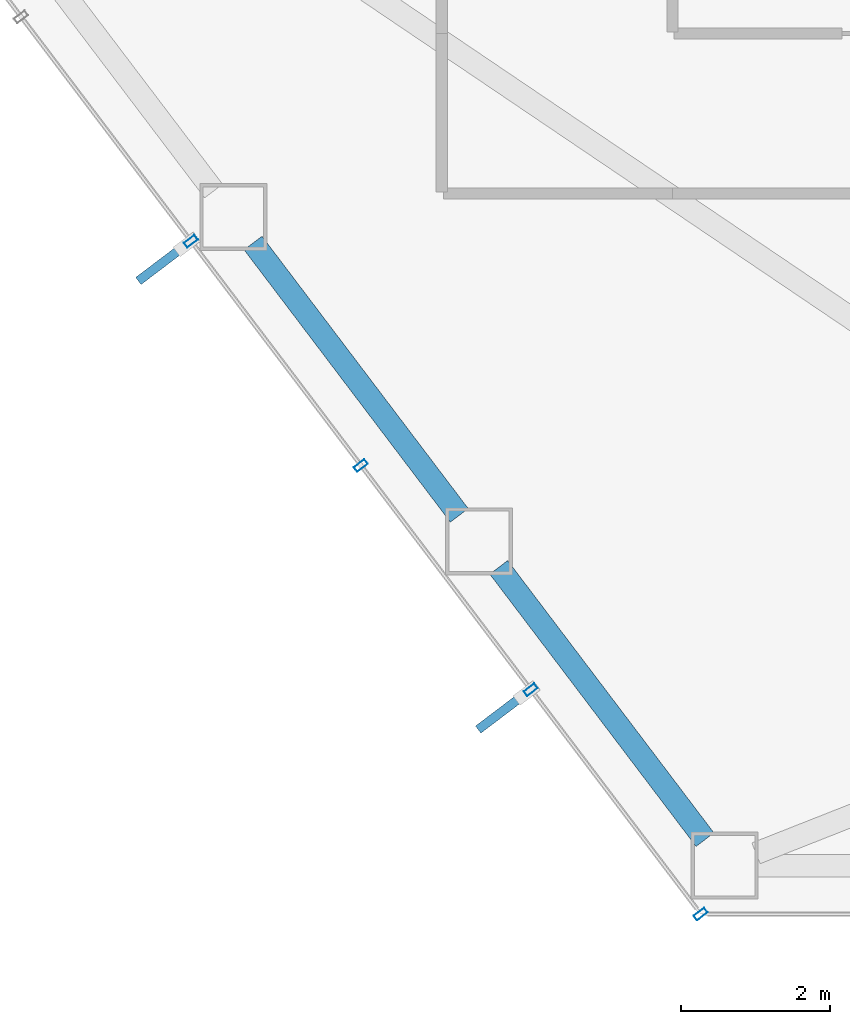
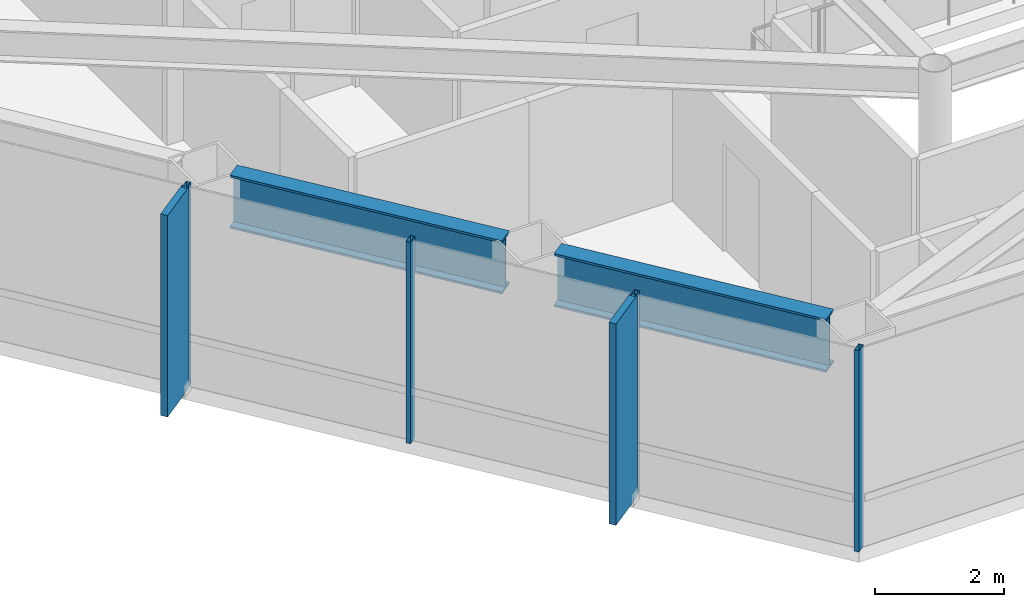
# One storey, part 2 of 24: 6 members, 2 beams, 1 element without a shape of its own.
"""IFC4 building model written with IfcOpenShell, lengths in metres."""

from ifc_helpers import new_model, si_unit, direction, frame, origin, origin_2d, place, context, subcontext, project, spatial, rectangle, hollow_rectangle, i_section, extrude, material, layer, layer_set, material_profile, profile_set, type_object, element, aggregate, save


model = new_model("IFC4")

# Units and contexts
model_context = context("Model", 3, precision=1e-05, world=origin(), true_north=direction((0.0, 1.0)))
body_context = subcontext(model_context, "Body", "Model", "MODEL_VIEW")
ifc_project = project(units=[si_unit("LENGTHUNIT", "METRE"), si_unit("AREAUNIT", "SQUARE_METRE"), si_unit("VOLUMEUNIT", "CUBIC_METRE"), si_unit("PLANEANGLEUNIT", "RADIAN"), si_unit("MASSUNIT", "GRAM", prefix="KILO")], contexts=[model_context])

# Site, building, storey
site_placement = place(None, origin())
site = spatial("IfcSite", under=ifc_project, at=site_placement, CompositionType="ELEMENT")
building_placement = place(site_placement, origin())
building = spatial("IfcBuilding", under=site, at=building_placement, Name="Zarrinselat Tower", CompositionType="ELEMENT")
storey_placement = place(building_placement, frame((0.0, 0.0, 100.97998046875)))
storey = spatial("IfcBuildingStorey", under=building, at=storey_placement, Name="L24", CompositionType="ELEMENT", Elevation=100.97998046875)

# Beams
ifc_material_1 = material(Name="Steel S460M", Category="steel")
ifc_material_profile_1 = material_profile(ifc_material_1, i_section(OverallWidth=0.302001953125, OverallDepth=1.008056640625, WebThickness=0.02099609375, FlangeThickness=0.0400390625, at=origin_2d()), Name="HEM 1000")
ifc_profile_set_1 = profile_set([ifc_material_profile_1], Name="Steel S460M")
beam_type = type_object("IfcBeamType", Name="BM-HEM1000", PredefinedType="BEAM", material=ifc_profile_set_1)
for number, where, z_axis, x_axis, name in (
    (1, (22.9150390625, 27.336669921875, 3.31591796875), (0.603833098178, -0.797110776206, 0.0), (0.797110776206, 0.603833098178, 0.0), "L24 Perimeter Spandrel Girder SP08"),
    (2, (26.21435546875, 22.981689453125, 3.31591796875), (0.603833098178, -0.797110776206, 0.0), (0.797110776206, 0.603833098178, 0.0), "L24 Perimeter Spandrel Girder SP09"),
):
    element("IfcBeam", number, at=place(storey_placement, frame(where, z_axis=z_axis, x_axis=x_axis)), inside=storey, type_object=beam_type, Name=name, PredefinedType="BEAM", context=body_context, shape_type="SweptSolid", body=[
        extrude(i_section(OverallWidth=0.302001953125, OverallDepth=1.008056640625, WebThickness=0.02099609375, FlangeThickness=0.0400390625, at=origin_2d()), origin(), (0.0, 0.0, 1.0), 4.587890625),
    ])

# Curtain wall, members
ifc_material_2 = material(Name="Extruded Aluminium Alloy EN AW-6063 T6", Category="aluminium")
ifc_layer = layer(ifc_material_2, 0.18505859375)
ifc_layer_set = layer_set([ifc_layer], Name="Extruded Aluminium Alloy EN AW-6063 T6")
curtain_wall_type = type_object("IfcCurtainWallType", Name="CWS-OFF", PredefinedType="NOTDEFINED", material=ifc_layer_set)
curtain_wall_placement = place(storey_placement, origin())
curtain_wall = element("IfcCurtainWall", 3, at=curtain_wall_placement, inside=storey, type_object=curtain_wall_type, Name="L24 Unitised Curtain Wall CW-L24-E03", PredefinedType="NOTDEFINED")
ifc_material_3 = material(Name="Extruded Aluminium Alloy EN AW-6063 T6", Category="aluminium")
ifc_material_profile_2 = material_profile(ifc_material_3, hollow_rectangle(XDim=0.080078125, YDim=0.179931640625, WallThickness=0.0048828125, at=origin_2d()), Name="RHS 180x80x5")
ifc_profile_set_2 = profile_set([ifc_material_profile_2], Name="Extruded Aluminium Alloy EN AW-6063 T6")
member_type_1 = type_object("IfcMemberType", Name="MEM-CW-MUL", PredefinedType="MULLION", material=ifc_profile_set_2)
member_1_placement = place(storey_placement, frame((22.081298828125, 27.36083984375, 0.0), z_axis=(0.0, 0.0, 1.0), x_axis=(0.603857772927, -0.797092083812, 0.0)))
member_1 = element("IfcMember", 4, at=member_1_placement, type_object=member_type_1, Name="CW-L24-E03 Mullion 3", PredefinedType="MULLION", context=body_context, shape_type="SweptSolid", body=[
    extrude(hollow_rectangle(XDim=0.080078125, YDim=0.179931640625, WallThickness=0.0048828125, at=origin_2d()), origin(), (0.0, 0.0, 1.0), 3.820068359375),
])
member_2_placement = place(storey_placement, frame((24.36279296875, 24.34912109375, 0.0), z_axis=(0.0, 0.0, 1.0), x_axis=(0.603857772927, -0.797092083812, 0.0)))
member_2 = element("IfcMember", 5, at=member_2_placement, type_object=member_type_1, Name="CW-L24-E03 Mullion 4", PredefinedType="MULLION", context=body_context, shape_type="SweptSolid", body=[
    extrude(hollow_rectangle(XDim=0.080078125, YDim=0.179931640625, WallThickness=0.0048828125, at=origin_2d()), origin(), (0.0, 0.0, 1.0), 3.820068359375),
])
member_3_placement = place(storey_placement, frame((26.64453125, 21.33740234375, 0.0), z_axis=(0.0, 0.0, 1.0), x_axis=(0.603857772927, -0.797092083812, 0.0)))
member_3 = element("IfcMember", 6, at=member_3_placement, type_object=member_type_1, Name="CW-L24-E03 Mullion 5", PredefinedType="MULLION", context=body_context, shape_type="SweptSolid", body=[
    extrude(hollow_rectangle(XDim=0.080078125, YDim=0.179931640625, WallThickness=0.0048828125, at=origin_2d()), origin(), (0.0, 0.0, 1.0), 3.820068359375),
])
member_4_placement = place(storey_placement, frame((28.926025390625, 18.32568359375, 0.0), z_axis=(0.0, 0.0, 1.0), x_axis=(0.603857772927, -0.797092083812, 0.0)))
member_4 = element("IfcMember", 7, at=member_4_placement, type_object=member_type_1, Name="CW-L24-E03 Mullion 6", PredefinedType="MULLION", context=body_context, shape_type="SweptSolid", body=[
    extrude(hollow_rectangle(XDim=0.080078125, YDim=0.179931640625, WallThickness=0.0048828125, at=origin_2d()), origin(), (0.0, 0.0, 1.0), 3.820068359375),
])
ifc_material_4 = material(Name="Honed Cream Travertine Stone", Category="masonry")
ifc_material_profile_3 = material_profile(ifc_material_4, rectangle(XDim=0.1201171875, YDim=0.85009765625, at=origin_2d()), Name="FIN 850x120")
ifc_profile_set_3 = profile_set([ifc_material_profile_3], Name="Honed Cream Travertine Stone")
member_type_2 = type_object("IfcMemberType", Name="MEM-STONE-FIN", PredefinedType="USERDEFINED", material=ifc_profile_set_3)
member_5_placement = place(storey_placement, frame((21.714599609375, 27.0830078125, 0.0), z_axis=(0.0, 0.0, 1.0), x_axis=(-0.603857772927, 0.797092083812, 0.0)))
member_5 = element("IfcMember", 8, at=member_5_placement, type_object=member_type_2, Name="L24 Stone Shading Fin CW-L24-E03-03", ObjectType="FIN", PredefinedType="USERDEFINED", context=body_context, shape_type="SweptSolid", body=[
    extrude(rectangle(XDim=0.1201171875, YDim=0.85009765625, at=origin_2d()), origin(), (0.0, 0.0, 1.0), 3.820068359375),
])
member_6_placement = place(storey_placement, frame((26.27783203125, 21.0595703125, 0.0), z_axis=(0.0, 0.0, 1.0), x_axis=(-0.603857772927, 0.797092083812, 0.0)))
member_6 = element("IfcMember", 9, at=member_6_placement, type_object=member_type_2, Name="L24 Stone Shading Fin CW-L24-E03-05", ObjectType="FIN", PredefinedType="USERDEFINED", context=body_context, shape_type="SweptSolid", body=[
    extrude(rectangle(XDim=0.1201171875, YDim=0.85009765625, at=origin_2d()), origin(), (0.0, 0.0, 1.0), 3.820068359375),
])
aggregate(curtain_wall, [member_1, member_5, member_2, member_3, member_6, member_4])

save(model, "model.ifc")
